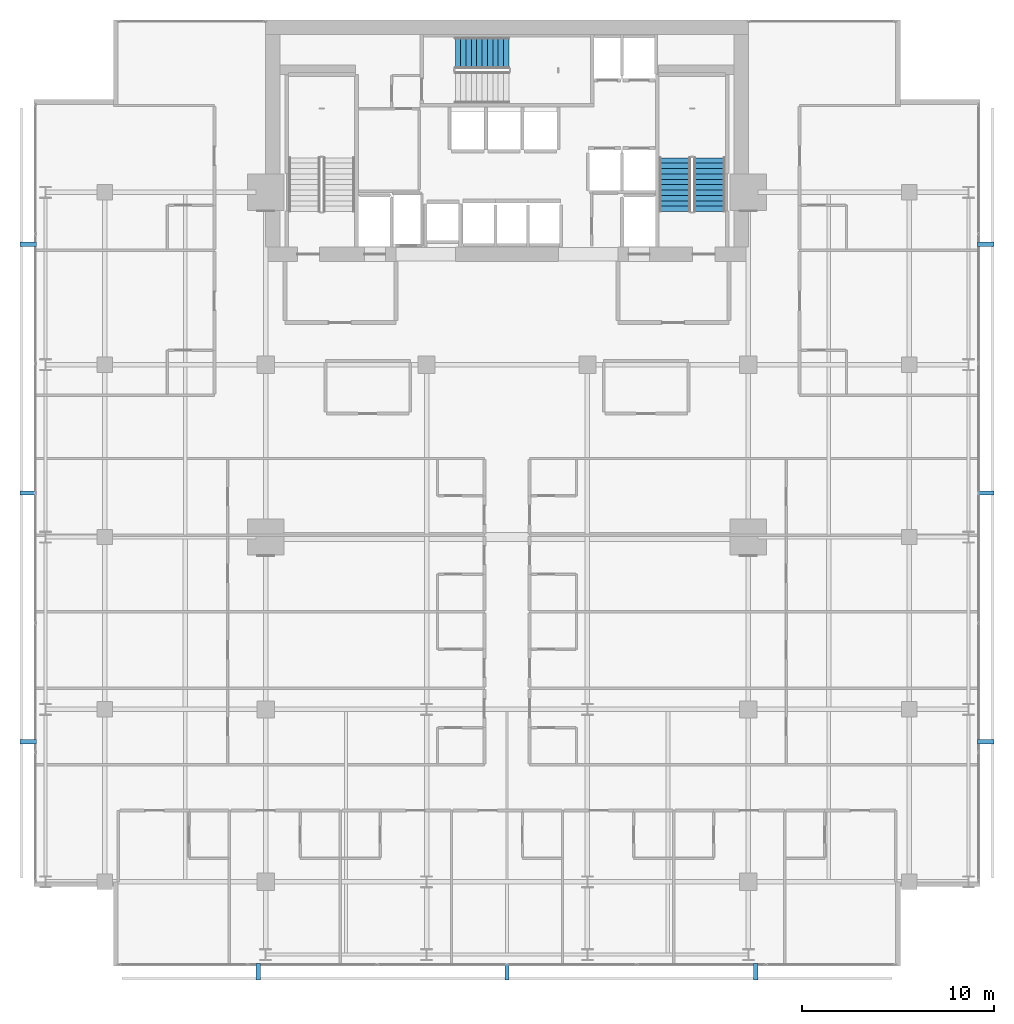
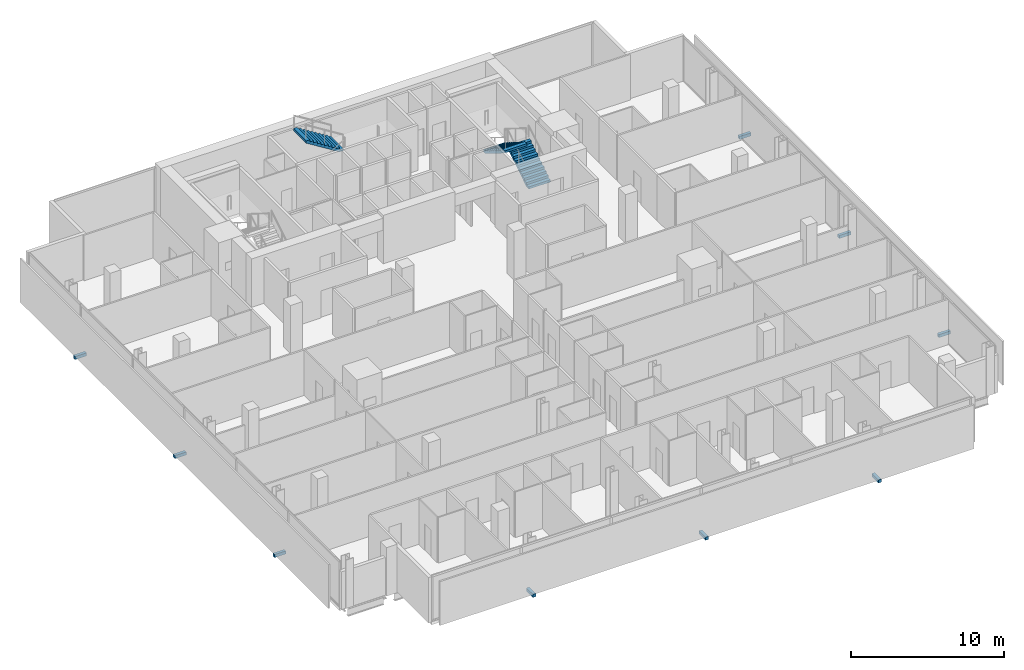
# One storey, part 32 of 34: 9 discrete accessories, 3 stair flights, 2 elements without a shape of their own.
"""IFC4 building model written with IfcOpenShell, lengths in metres."""

from ifc_helpers import new_model, si_unit, direction, frame, origin, origin_2d, place, context, subcontext, project, spatial, polyline, rectangle, outline, extrude, material, type_object, element, aggregate, save


model = new_model("IFC4")

# Units and contexts
model_context = context("Model", 3, precision=1e-05, world=origin(), true_north=direction((0.0, 1.0)))
body_context = subcontext(model_context, "Body", "Model", "MODEL_VIEW")
ifc_project = project(units=[si_unit("LENGTHUNIT", "METRE"), si_unit("AREAUNIT", "SQUARE_METRE"), si_unit("VOLUMEUNIT", "CUBIC_METRE"), si_unit("PLANEANGLEUNIT", "RADIAN"), si_unit("MASSUNIT", "GRAM", prefix="KILO")], contexts=[model_context])

# Site, building, storey
site_placement = place(None, origin())
site = spatial("IfcSite", under=ifc_project, at=site_placement, CompositionType="ELEMENT")
building_placement = place(site_placement, origin())
building = spatial("IfcBuilding", under=site, at=building_placement, Name="Maruvema Waterfront Hotel and Observation Tower", CompositionType="ELEMENT")
storey_placement = place(building_placement, frame((0.0, 0.0, 131.25)))
storey = spatial("IfcBuildingStorey", under=building, at=storey_placement, Name="L31", CompositionType="ELEMENT", Elevation=131.25)

# Stair, stair flight
ifc_material_1 = material(Name="Concrete C50/60", Category="concrete")
stair_type = type_object("IfcStairType", Name="Dogleg Exit Stair 1650 mm (22R x 175.0 mm)", PredefinedType="HALF_TURN_STAIR", material=ifc_material_1)
stair_1_placement = place(storey_placement, origin())
stair_1 = element("IfcStair", 1, at=stair_1_placement, inside=storey, type_object=stair_type, Name="L31 ST-02", PredefinedType="HALF_TURN_STAIR")
ifc_material_2 = material(Name="Concrete C50/60", Category="concrete")
stair_flight_type = type_object("IfcStairFlightType", Name="Reinforced Concrete Stair Flight 1650 mm (11R x 175.0 mm)", PredefinedType="STRAIGHT", material=ifc_material_2)
stair_flight_1_placement = place(storey_placement, frame((37.89990234375, 52.27490234375, 1.925048828125), z_axis=(0.0, 0.0, 1.0), x_axis=(-1.0, 0.0, 0.0)))
stair_flight_1 = element("IfcStairFlight", 2, at=stair_flight_1_placement, type_object=stair_flight_type, Name="ST-02 flight 2", NumberOfRisers=11, NumberOfTreads=10, PredefinedType="STRAIGHT", RiserHeight=0.175, TreadLength=0.28, context=body_context, shape_type="SweptSolid", body=[
    extrude(outline(polyline([(0.0, 0.0), (0.0, 0.175048828125), (0.280029296875, 0.175048828125), (0.280029296875, 0.35009765625), (0.56005859375, 0.35009765625), (0.56005859375, 0.52490234375), (0.840087890625, 0.52490234375), (0.840087890625, 0.699951171875), (1.1201171875, 0.699951171875), (1.1201171875, 0.875), (1.39990234375, 0.875), (1.39990234375, 1.050048828125), (1.679931640625, 1.050048828125), (1.679931640625, 1.22509765625), (1.9599609375, 1.22509765625), (1.9599609375, 1.39990234375), (2.239990234375, 1.39990234375), (2.239990234375, 1.574951171875), (2.52001953125, 1.574951171875), (2.52001953125, 1.75), (2.800048828125, 1.75), (2.800048828125, 1.925048828125), (2.800048828125, 1.5732421875), (0.28271484375, 0.0), (0.0, 0.0)])), frame((0.0, 0.824951171875, 0.0), z_axis=(0.0, -1.0, 0.0), x_axis=(1.0, 0.0, 0.0)), (0.0, 0.0, 1.0), 1.64990234375),
])
aggregate(stair_1, [stair_flight_1])

# Stair, stair flights
stair_2_placement = place(storey_placement, origin())
stair_2 = element("IfcStair", 3, at=stair_2_placement, inside=storey, type_object=stair_type, Name="L31 ST-03", PredefinedType="HALF_TURN_STAIR")
stair_flight_2_placement = place(storey_placement, frame((48.375, 44.0, 0.0), z_axis=(0.0, 0.0, 1.0), x_axis=(0.0, 1.0, 0.0)))
stair_flight_2 = element("IfcStairFlight", 4, at=stair_flight_2_placement, type_object=stair_flight_type, Name="ST-03 flight 1", NumberOfRisers=11, NumberOfTreads=10, PredefinedType="STRAIGHT", RiserHeight=0.175, TreadLength=0.28, context=body_context, shape_type="SweptSolid", body=[
    extrude(outline(polyline([(0.0, 0.0), (0.0, 0.175048828125), (0.280029296875, 0.175048828125), (0.280029296875, 0.35009765625), (0.56005859375, 0.35009765625), (0.56005859375, 0.52490234375), (0.840087890625, 0.52490234375), (0.840087890625, 0.699951171875), (1.1201171875, 0.699951171875), (1.1201171875, 0.875), (1.39990234375, 0.875), (1.39990234375, 1.050048828125), (1.679931640625, 1.050048828125), (1.679931640625, 1.22509765625), (1.9599609375, 1.22509765625), (1.9599609375, 1.39990234375), (2.239990234375, 1.39990234375), (2.239990234375, 1.574951171875), (2.52001953125, 1.574951171875), (2.52001953125, 1.75), (2.800048828125, 1.75), (2.800048828125, 1.925048828125), (2.800048828125, 1.5732421875), (0.28271484375, 0.0), (0.0, 0.0)])), frame((0.0, 0.824951171875, 0.0), z_axis=(0.0, -1.0, 0.0), x_axis=(1.0, 0.0, 0.0)), (0.0, 0.0, 1.0), 1.64990234375),
])
stair_flight_3_placement = place(storey_placement, frame((46.574951171875, 46.800048828125, 1.925048828125), z_axis=(0.0, 0.0, 1.0), x_axis=(0.0, -1.0, 0.0)))
stair_flight_3 = element("IfcStairFlight", 5, at=stair_flight_3_placement, type_object=stair_flight_type, Name="ST-03 flight 2", NumberOfRisers=11, NumberOfTreads=10, PredefinedType="STRAIGHT", RiserHeight=0.175, TreadLength=0.28, context=body_context, shape_type="SweptSolid", body=[
    extrude(outline(polyline([(0.0, 0.0), (0.0, 0.175048828125), (0.280029296875, 0.175048828125), (0.280029296875, 0.35009765625), (0.56005859375, 0.35009765625), (0.56005859375, 0.52490234375), (0.840087890625, 0.52490234375), (0.840087890625, 0.699951171875), (1.1201171875, 0.699951171875), (1.1201171875, 0.875), (1.39990234375, 0.875), (1.39990234375, 1.050048828125), (1.679931640625, 1.050048828125), (1.679931640625, 1.22509765625), (1.9599609375, 1.22509765625), (1.9599609375, 1.39990234375), (2.239990234375, 1.39990234375), (2.239990234375, 1.574951171875), (2.52001953125, 1.574951171875), (2.52001953125, 1.75), (2.800048828125, 1.75), (2.800048828125, 1.925048828125), (2.800048828125, 1.5732421875), (0.28271484375, 0.0), (0.0, 0.0)])), frame((0.0, 0.824951171875, 0.0), z_axis=(0.0, -1.0, 0.0), x_axis=(1.0, 0.0, 0.0)), (0.0, 0.0, 1.0), 1.64990234375),
])
aggregate(stair_2, [stair_flight_2, stair_flight_3])

# Discrete accessories
ifc_material_3 = material(Name="Duplex stainless steel Grade 2205", Category="steel")
discrete_accessory_type = type_object("IfcDiscreteAccessoryType", Name="Double-Skin Cavity Stainless Outrigger Bracket", PredefinedType="BRACKET", material=ifc_material_3)
for number, where, z_axis, x_axis, name in (
    (6, (24.80810546875, 4.300048828125, -0.14013671875), (0.0, 0.0, 1.0), (1.0, 0.0, 0.0), "L31 Outer Skin Support Bracket 1"),
    (7, (37.800048828125, 4.300048828125, -0.14013671875), (0.0, 0.0, 1.0), (1.0, 0.0, 0.0), "L31 Outer Skin Support Bracket 2"),
    (8, (50.7919921875, 4.300048828125, -0.14013671875), (0.0, 0.0, 1.0), (1.0, 0.0, 0.0), "L31 Outer Skin Support Bracket 3"),
    (9, (62.800048828125, 16.30810546875, -0.14013671875), (0.0, 0.0, 1.0), (0.0, 1.0, 0.0), "L31 Outer Skin Support Bracket 1"),
    (10, (62.800048828125, 29.300048828125, -0.14013671875), (0.0, 0.0, 1.0), (0.0, 1.0, 0.0), "L31 Outer Skin Support Bracket 2"),
    (11, (62.800048828125, 42.2919921875, -0.14013671875), (0.0, 0.0, 1.0), (0.0, 1.0, 0.0), "L31 Outer Skin Support Bracket 3"),
    (12, (12.800048828125, 42.2919921875, -0.14013671875), (0.0, 0.0, 1.0), (0.0, -1.0, 0.0), "L31 Outer Skin Support Bracket 1"),
    (13, (12.800048828125, 29.300048828125, -0.14013671875), (0.0, 0.0, 1.0), (0.0, -1.0, 0.0), "L31 Outer Skin Support Bracket 2"),
    (14, (12.800048828125, 16.30810546875, -0.14013671875), (0.0, 0.0, 1.0), (0.0, -1.0, 0.0), "L31 Outer Skin Support Bracket 3"),
):
    element("IfcDiscreteAccessory", number, at=place(storey_placement, frame(where, z_axis=z_axis, x_axis=x_axis)), inside=storey, type_object=discrete_accessory_type, Name=name, PredefinedType="BRACKET", context=body_context, shape_type="SweptSolid", body=[
        extrude(rectangle(XDim=0.219970703125, YDim=0.860107421875, at=origin_2d()), origin(), (0.0, 0.0, 1.0), 0.239990234375),
    ])

save(model, "model.ifc")
